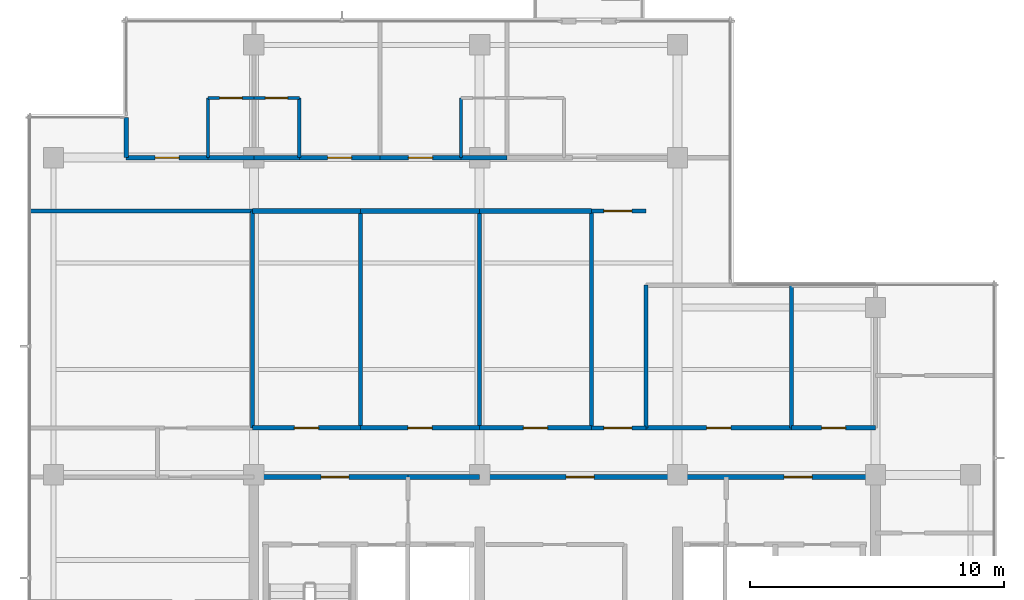
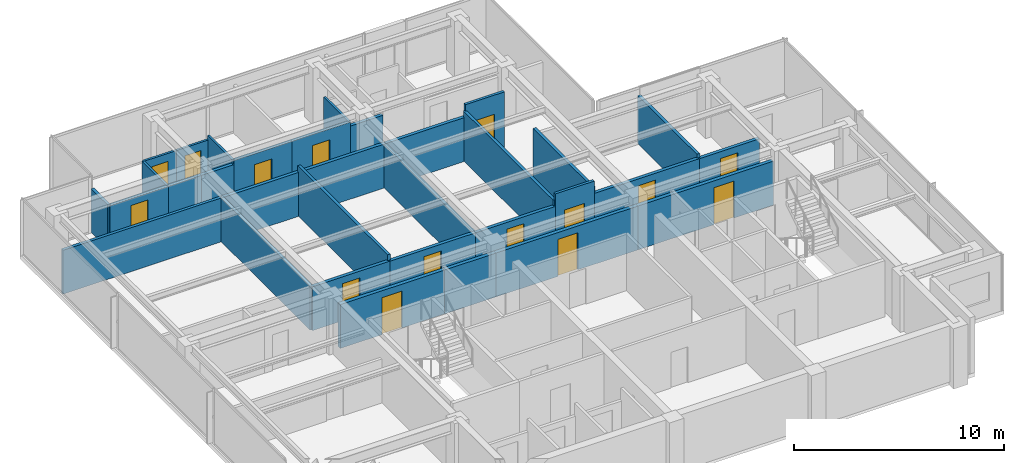
# One storey, part 7 of 11: 33 walls, 15 doors, 15 openings.
"""IFC4 building model written with IfcOpenShell, lengths in metres."""

from ifc_helpers import new_model, si_unit, direction, frame, frame_2d, origin, place, context, subcontext, project, spatial, rectangle, extrude, material, layer, layer_set, type_object, element, fill, save


model = new_model("IFC4")

# Units and contexts
model_context = context("Model", 3, precision=1e-05, world=origin(), true_north=direction((0.0, 1.0)))
body_context = subcontext(model_context, "Body", "Model", "MODEL_VIEW")
ifc_project = project(units=[si_unit("LENGTHUNIT", "METRE"), si_unit("AREAUNIT", "SQUARE_METRE"), si_unit("VOLUMEUNIT", "CUBIC_METRE"), si_unit("PLANEANGLEUNIT", "RADIAN"), si_unit("MASSUNIT", "GRAM", prefix="KILO")], contexts=[model_context])

# Site, building, storey
site_placement = place(None, origin())
site = spatial("IfcSite", under=ifc_project, at=site_placement, CompositionType="ELEMENT")
building_placement = place(site_placement, origin())
building = spatial("IfcBuilding", under=site, at=building_placement, Name="Qalmaran Belvedere Hotel", CompositionType="ELEMENT")
storey_placement = place(building_placement, frame((0.0, 0.0, 259.89990234375)))
storey = spatial("IfcBuildingStorey", under=building, at=storey_placement, Name="L67", CompositionType="ELEMENT", Elevation=259.89990234375)

# Wall, opening, door
ifc_material_1 = material(Name="Moisture-Resistant Gypsum")
ifc_layer_1 = layer(ifc_material_1, 0.1201171875, Name="Moisture-Resistant Gypsum")
ifc_layer_set_1 = layer_set([ifc_layer_1], Name="Moisture-Resistant Gypsum")
wall_type_1 = type_object("IfcWallType", Name="WL-INT-120-BATH", PredefinedType="PARTITIONING", material=ifc_layer_set_1)
wall_1_placement = place(storey_placement, frame((18.489990234375, 35.35009765625, 0.0), z_axis=(0.0, 0.0, 1.0), x_axis=(1.0, 0.0, 0.0)))
wall_1 = element("IfcWall", 1, at=wall_1_placement, inside=storey, type_object=wall_type_1, Name="L67 Partition WL-L67-NBN00", PredefinedType="PARTITIONING", context=body_context, shape_type="SweptSolid", body=[
    extrude(rectangle(XDim=1.81005859375, YDim=0.1201171875, at=frame_2d((0.905029296875, 0.0))), origin(), (0.0, 0.0, 1.0), 2.550048828125),
])
opening_1_placement = place(wall_1_placement, frame((1.344970703125, 0.0, 0.0), z_axis=(0.0, 0.0, 1.0), x_axis=(-1.0, 0.0, 0.0)))
opening_1 = element("IfcOpeningElement", 2, at=opening_1_placement, cuts=wall_1, Name="Opening D-BATH", PredefinedType="OPENING", context=body_context, shape_type="SweptSolid", body=[
    extrude(rectangle(XDim=0.8798828125, YDim=2.080078125, at=frame_2d((0.43994140625, 1.0400390625))), frame((0.0, 0.070068359375, 0.0), z_axis=(0.0, -1.0, 0.0), x_axis=(1.0, 0.0, 0.0)), (0.0, 0.0, 1.0), 0.14013671875),
])
ifc_material_2 = material(Name="Engineered Oak Veneer")
door_type_1 = type_object("IfcDoorType", Name="DR-INT-BATH-880X2080", OperationType="NOTDEFINED", PredefinedType="DOOR", material=ifc_material_2)
door_1_placement = place(opening_1_placement, origin())
door_1 = element("IfcDoor", 3, at=door_1_placement, inside=storey, type_object=door_type_1, Name="L67 Ensuite Bathroom Door N01", OperationType="SINGLE_SWING_LEFT", OverallHeight=2.080078125, OverallWidth=0.8798828125, PredefinedType="DOOR", context=body_context, shape_type="SweptSolid", body=[
    extrude(rectangle(XDim=0.8798828125, YDim=2.080078125, at=frame_2d((0.43994140625, 1.0400390625))), frame((0.0, 0.02490234375, 0.0), z_axis=(0.0, -1.0, 0.0), x_axis=(1.0, 0.0, 0.0)), (0.0, 0.0, 1.0), 0.050048828125),
])
fill(opening_1, door_1)

# Wall
wall_2_placement = place(storey_placement, frame((18.489990234375, 33.0, 0.0), z_axis=(0.0, 0.0, 1.0), x_axis=(0.0, 1.0, 0.0)))
element("IfcWall", 4, at=wall_2_placement, inside=storey, type_object=wall_type_1, Name="L67 Partition WL-L67-NBS00", PredefinedType="PARTITIONING", context=body_context, shape_type="SweptSolid", body=[
    extrude(rectangle(XDim=2.35009765625, YDim=0.1201171875, at=frame_2d((1.175048828125, 0.0))), origin(), (0.0, 0.0, 1.0), 2.550048828125),
])

# Wall, opening, door
wall_3_placement = place(storey_placement, frame((20.300048828125, 35.35009765625, 0.0), z_axis=(0.0, 0.0, 1.0), x_axis=(1.0, 0.0, 0.0)))
wall_3 = element("IfcWall", 5, at=wall_3_placement, inside=storey, type_object=wall_type_1, Name="L67 Partition WL-L67-NBN01", PredefinedType="PARTITIONING", context=body_context, shape_type="SweptSolid", body=[
    extrude(rectangle(XDim=1.7900390625, YDim=0.1201171875, at=frame_2d((0.89501953125, 0.0))), origin(), (0.0, 0.0, 1.0), 2.550048828125),
])
opening_2_placement = place(wall_3_placement, frame((1.3349609375, 0.0, 0.0), z_axis=(0.0, 0.0, 1.0), x_axis=(-1.0, 0.0, 0.0)))
opening_2 = element("IfcOpeningElement", 6, at=opening_2_placement, cuts=wall_3, Name="Opening D-BATH", PredefinedType="OPENING", context=body_context, shape_type="SweptSolid", body=[
    extrude(rectangle(XDim=0.8798828125, YDim=2.080078125, at=frame_2d((0.43994140625, 1.0400390625))), frame((0.0, 0.070068359375, 0.0), z_axis=(0.0, -1.0, 0.0), x_axis=(1.0, 0.0, 0.0)), (0.0, 0.0, 1.0), 0.14013671875),
])
door_2_placement = place(opening_2_placement, origin())
door_2 = element("IfcDoor", 7, at=door_2_placement, inside=storey, type_object=door_type_1, Name="L67 Ensuite Bathroom Door N02", OperationType="SINGLE_SWING_LEFT", OverallHeight=2.080078125, OverallWidth=0.8798828125, PredefinedType="DOOR", context=body_context, shape_type="SweptSolid", body=[
    extrude(rectangle(XDim=0.8798828125, YDim=2.080078125, at=frame_2d((0.43994140625, 1.0400390625))), frame((0.0, 0.02490234375, 0.0), z_axis=(0.0, -1.0, 0.0), x_axis=(1.0, 0.0, 0.0)), (0.0, 0.0, 1.0), 0.050048828125),
])
fill(opening_2, door_2)

# Walls
for number, where, z_axis, x_axis, name in (
    (8, (22.090087890625, 33.0, 0.0), (0.0, 0.0, 1.0), (0.0, 1.0, 0.0), "L67 Partition WL-L67-NBS01"),
    (9, (28.47021484375, 33.0, 0.0), (0.0, 0.0, 1.0), (0.0, 1.0, 0.0), "L67 Partition WL-L67-NBS02"),
):
    element("IfcWall", number, at=place(storey_placement, frame(where, z_axis=z_axis, x_axis=x_axis)), inside=storey, type_object=wall_type_1, Name=name, PredefinedType="PARTITIONING", context=body_context, shape_type="SweptSolid", body=[
        extrude(rectangle(XDim=2.35009765625, YDim=0.1201171875, at=frame_2d((1.175048828125, 0.0))), origin(), (0.0, 0.0, 1.0), 2.781982421875),
    ])

# Wall, opening, door
ifc_material_3 = material(Name="Gypsum Stud Partition")
ifc_layer_2 = layer(ifc_material_3, 0.14990234375, Name="Gypsum Stud Partition")
ifc_layer_set_2 = layer_set([ifc_layer_2], Name="Gypsum Stud Partition")
wall_type_2 = type_object("IfcWallType", Name="WL-INT-150-EI60", PredefinedType="PARTITIONING", material=ifc_layer_set_2)
wall_4_placement = place(storey_placement, frame((33.60009765625, 22.35009765625, 0.0), z_axis=(0.0, 0.0, 1.0), x_axis=(1.0, 0.0, 0.0)))
wall_4 = element("IfcWall", 10, at=wall_4_placement, inside=storey, type_object=wall_type_2, Name="L67 Partition WL-L67-XCLS", PredefinedType="PARTITIONING", context=body_context, shape_type="SweptSolid", body=[
    extrude(rectangle(XDim=2.14990234375, YDim=0.14990234375, at=frame_2d((1.074951171875, 0.0))), origin(), (0.0, 0.0, 1.0), 3.260009765625),
])
opening_3_placement = place(wall_4_placement, frame((0.5, 0.0, 0.0)))
opening_3 = element("IfcOpeningElement", 11, at=opening_3_placement, cuts=wall_4, Name="Opening FD90", PredefinedType="OPENING", context=body_context, shape_type="SweptSolid", body=[
    extrude(rectangle(XDim=1.10009765625, YDim=2.14990234375, at=frame_2d((0.550048828125, 1.074951171875))), frame((0.0, 0.0849609375, 0.0), z_axis=(0.0, -1.0, 0.0), x_axis=(1.0, 0.0, 0.0)), (0.0, 0.0, 1.0), 0.169921875),
])
ifc_material_4 = material(Name="Steel S355JR", Category="steel")
door_type_2 = type_object("IfcDoorType", Name="DR-FD90-1100X2150", OperationType="NOTDEFINED", PredefinedType="DOOR", material=ifc_material_4)
door_3_placement = place(opening_3_placement, origin())
door_3 = element("IfcDoor", 12, at=door_3_placement, inside=storey, type_object=door_type_2, Name="L67 Sky Link South Door", OperationType="SINGLE_SWING_LEFT", OverallHeight=2.14990234375, OverallWidth=1.10009765625, PredefinedType="DOOR", context=body_context, shape_type="SweptSolid", body=[
    extrude(rectangle(XDim=1.10009765625, YDim=2.14990234375, at=frame_2d((0.550048828125, 1.074951171875))), frame((0.0, 0.02490234375, 0.0), z_axis=(0.0, -1.0, 0.0), x_axis=(1.0, 0.0, 0.0)), (0.0, 0.0, 1.0), 0.050048828125),
])
fill(opening_3, door_3)

wall_5_placement = place(storey_placement, frame((33.60009765625, 30.89990234375, 0.0), z_axis=(0.0, 0.0, 1.0), x_axis=(1.0, 0.0, 0.0)))
wall_5 = element("IfcWall", 13, at=wall_5_placement, inside=storey, type_object=wall_type_2, Name="L67 Partition WL-L67-XCLN", PredefinedType="PARTITIONING", context=body_context, shape_type="SweptSolid", body=[
    extrude(rectangle(XDim=2.14990234375, YDim=0.14990234375, at=frame_2d((1.074951171875, 0.0))), origin(), (0.0, 0.0, 1.0), 3.260009765625),
])
opening_4_placement = place(wall_5_placement, frame((0.5, 0.0, 0.0)))
opening_4 = element("IfcOpeningElement", 14, at=opening_4_placement, cuts=wall_5, Name="Opening FD90", PredefinedType="OPENING", context=body_context, shape_type="SweptSolid", body=[
    extrude(rectangle(XDim=1.10009765625, YDim=2.14990234375, at=frame_2d((0.550048828125, 1.074951171875))), frame((0.0, 0.0849609375, 0.0), z_axis=(0.0, -1.0, 0.0), x_axis=(1.0, 0.0, 0.0)), (0.0, 0.0, 1.0), 0.169921875),
])
door_4_placement = place(opening_4_placement, origin())
door_4 = element("IfcDoor", 15, at=door_4_placement, inside=storey, type_object=door_type_2, Name="L67 Sky Link North Door", OperationType="SINGLE_SWING_RIGHT", OverallHeight=2.14990234375, OverallWidth=1.10009765625, PredefinedType="DOOR", context=body_context, shape_type="SweptSolid", body=[
    extrude(rectangle(XDim=1.10009765625, YDim=2.14990234375, at=frame_2d((0.550048828125, 1.074951171875))), frame((0.0, 0.02490234375, 0.0), z_axis=(0.0, -1.0, 0.0), x_axis=(1.0, 0.0, 0.0)), (0.0, 0.0, 1.0), 0.050048828125),
])
fill(opening_4, door_4)

# Walls
ifc_layer_3 = layer(ifc_material_3, 0.159912109375, Name="Gypsum Stud Partition")
ifc_layer_set_3 = layer_set([ifc_layer_3], Name="Gypsum Stud Partition")
wall_type_3 = type_object("IfcWallType", Name="WL-INT-160-EI60", PredefinedType="PARTITIONING", material=ifc_layer_set_3)
wall_6_placement = place(storey_placement, frame((11.469970703125, 30.89990234375, 0.0), z_axis=(0.0, 0.0, 1.0), x_axis=(1.0, 0.0, 0.0)))
element("IfcWall", 16, at=wall_6_placement, inside=storey, type_object=wall_type_3, Name="L67 Partition WL-L67-C4WN1", PredefinedType="PARTITIONING", context=body_context, shape_type="SweptSolid", body=[
    extrude(rectangle(XDim=8.780029296875, YDim=0.159912109375, at=frame_2d((4.39013671875, 0.0))), origin(), (0.0, 0.0, 1.0), 2.550048828125),
])
wall_7_placement = place(storey_placement, frame((20.25, 22.35009765625, 0.0), z_axis=(0.0, 0.0, 1.0), x_axis=(0.0, 1.0, 0.0)))
element("IfcWall", 17, at=wall_7_placement, inside=storey, type_object=wall_type_3, Name="L67 Partition WL-L67-C4MWVL", PredefinedType="PARTITIONING", context=body_context, shape_type="SweptSolid", body=[
    extrude(rectangle(XDim=8.5498046875, YDim=0.159912109375, at=frame_2d((4.27490234375, 0.0))), origin(), (0.0, 0.0, 1.0), 2.550048828125),
])
wall_8_placement = place(storey_placement, frame((24.5, 22.35009765625, 0.0), z_axis=(0.0, 0.0, 1.0), x_axis=(0.0, 1.0, 0.0)))
element("IfcWall", 18, at=wall_8_placement, inside=storey, type_object=wall_type_3, Name="L67 Partition WL-L67-C4MWVR1", PredefinedType="PARTITIONING", context=body_context, shape_type="SweptSolid", body=[
    extrude(rectangle(XDim=8.5498046875, YDim=0.159912109375, at=frame_2d((4.27490234375, 0.0))), origin(), (0.0, 0.0, 1.0), 2.88720703125),
])
wall_9_placement = place(storey_placement, frame((29.199951171875, 22.35009765625, 0.0), z_axis=(0.0, 0.0, 1.0), x_axis=(0.0, 1.0, 0.0)))
element("IfcWall", 19, at=wall_9_placement, inside=storey, type_object=wall_type_3, Name="L67 Partition WL-L67-C4MWVR2", PredefinedType="PARTITIONING", context=body_context, shape_type="SweptSolid", body=[
    extrude(rectangle(XDim=8.5498046875, YDim=0.159912109375, at=frame_2d((4.27490234375, 0.0))), origin(), (0.0, 0.0, 1.0), 2.550048828125),
])
wall_10_placement = place(storey_placement, frame((33.60009765625, 22.35009765625, 0.0), z_axis=(0.0, 0.0, 1.0), x_axis=(0.0, 1.0, 0.0)))
element("IfcWall", 20, at=wall_10_placement, inside=storey, type_object=wall_type_3, Name="L67 Partition WL-L67-C4MWVR3", PredefinedType="PARTITIONING", context=body_context, shape_type="SweptSolid", body=[
    extrude(rectangle(XDim=8.5498046875, YDim=0.159912109375, at=frame_2d((4.27490234375, 0.0))), origin(), (0.0, 0.0, 1.0), 2.88720703125),
])
wall_11_placement = place(storey_placement, frame((35.75, 22.35009765625, 0.0), z_axis=(0.0, 0.0, 1.0), x_axis=(0.0, 1.0, 0.0)))
element("IfcWall", 21, at=wall_11_placement, inside=storey, type_object=wall_type_3, Name="L67 Partition WL-L67-C4MEVL", PredefinedType="PARTITIONING", context=body_context, shape_type="SweptSolid", body=[
    extrude(rectangle(XDim=5.6298828125, YDim=0.159912109375, at=frame_2d((2.81494140625, 0.0))), origin(), (0.0, 0.0, 1.0), 2.88720703125),
])
wall_12_placement = place(storey_placement, frame((41.5, 22.35009765625, 0.0), z_axis=(0.0, 0.0, 1.0), x_axis=(0.0, 1.0, 0.0)))
element("IfcWall", 22, at=wall_12_placement, inside=storey, type_object=wall_type_3, Name="L67 Partition WL-L67-C4MEVR1", PredefinedType="PARTITIONING", context=body_context, shape_type="SweptSolid", body=[
    extrude(rectangle(XDim=5.6298828125, YDim=0.159912109375, at=frame_2d((2.81494140625, 0.0))), origin(), (0.0, 0.0, 1.0), 2.781982421875),
])
wall_13_placement = place(storey_placement, frame((15.27001953125, 33.0, 0.0), z_axis=(0.0, 0.0, 1.0), x_axis=(0.0, 1.0, 0.0)))
element("IfcWall", 23, at=wall_13_placement, inside=storey, type_object=wall_type_3, Name="L67 Partition WL-L67-NUL", PredefinedType="PARTITIONING", context=body_context, shape_type="SweptSolid", body=[
    extrude(rectangle(XDim=1.580078125, YDim=0.159912109375, at=frame_2d((0.7900390625, 0.0))), origin(), (0.0, 0.0, 1.0), 2.550048828125),
])

# Wall, opening, door
ifc_layer_4 = layer(ifc_material_3, 0.179931640625, Name="Gypsum Stud Partition")
ifc_layer_set_4 = layer_set([ifc_layer_4], Name="Gypsum Stud Partition")
wall_type_4 = type_object("IfcWallType", Name="WL-INT-180-EI60", PredefinedType="PARTITIONING", material=ifc_layer_set_4)
wall_14_placement = place(storey_placement, frame((20.25, 22.35009765625, 0.0), z_axis=(0.0, 0.0, 1.0), x_axis=(1.0, 0.0, 0.0)))
wall_14 = element("IfcWall", 24, at=wall_14_placement, inside=storey, type_object=wall_type_4, Name="L67 Partition WL-L67-C4MWD1", PredefinedType="PARTITIONING", context=body_context, shape_type="SweptSolid", body=[
    extrude(rectangle(XDim=4.25, YDim=0.179931640625, at=frame_2d((2.125, 0.0))), origin(), (0.0, 0.0, 1.0), 2.550048828125),
])
opening_5_placement = place(wall_14_placement, frame((1.64990234375, 0.0, 0.0)))
opening_5 = element("IfcOpeningElement", 25, at=opening_5_placement, cuts=wall_14, Name="Opening FD60", PredefinedType="OPENING", context=body_context, shape_type="SweptSolid", body=[
    extrude(rectangle(XDim=0.949951171875, YDim=2.14990234375, at=frame_2d((0.47509765625, 1.074951171875))), frame((0.0, 0.10009765625, 0.0), z_axis=(0.0, -1.0, 0.0), x_axis=(1.0, 0.0, 0.0)), (0.0, 0.0, 1.0), 0.199951171875),
])
door_type_3 = type_object("IfcDoorType", Name="DR-FD60-950X2150", OperationType="NOTDEFINED", PredefinedType="DOOR", material=ifc_material_2)
door_5_placement = place(opening_5_placement, origin())
door_5 = element("IfcDoor", 26, at=door_5_placement, inside=storey, type_object=door_type_3, Name="L67 Housekeeping and Linen Room Door", OperationType="SINGLE_SWING_RIGHT", OverallHeight=2.14990234375, OverallWidth=0.949951171875, PredefinedType="DOOR", context=body_context, shape_type="SweptSolid", body=[
    extrude(rectangle(XDim=0.949951171875, YDim=2.14990234375, at=frame_2d((0.47509765625, 1.074951171875))), frame((0.0, 0.02490234375, 0.0), z_axis=(0.0, -1.0, 0.0), x_axis=(1.0, 0.0, 0.0)), (0.0, 0.0, 1.0), 0.050048828125),
])
fill(opening_5, door_5)

# Wall
wall_15_placement = place(storey_placement, frame((20.25, 30.89990234375, 0.0), z_axis=(0.0, 0.0, 1.0), x_axis=(1.0, 0.0, 0.0)))
element("IfcWall", 27, at=wall_15_placement, inside=storey, type_object=wall_type_4, Name="L67 Partition WL-L67-C4MWO1", PredefinedType="PARTITIONING", context=body_context, shape_type="SweptSolid", body=[
    extrude(rectangle(XDim=4.25, YDim=0.179931640625, at=frame_2d((2.125, 0.0))), origin(), (0.0, 0.0, 1.0), 2.550048828125),
])

# Wall, opening, door
wall_16_placement = place(storey_placement, frame((24.5, 22.35009765625, 0.0), z_axis=(0.0, 0.0, 1.0), x_axis=(1.0, 0.0, 0.0)))
wall_16 = element("IfcWall", 28, at=wall_16_placement, inside=storey, type_object=wall_type_4, Name="L67 Partition WL-L67-C4MWD2", PredefinedType="PARTITIONING", context=body_context, shape_type="SweptSolid", body=[
    extrude(rectangle(XDim=4.699951171875, YDim=0.179931640625, at=frame_2d((2.35009765625, 0.0))), origin(), (0.0, 0.0, 1.0), 2.550048828125),
])
opening_6_placement = place(wall_16_placement, frame((1.875, 0.0, 0.0)))
opening_6 = element("IfcOpeningElement", 29, at=opening_6_placement, cuts=wall_16, Name="Opening FD60", PredefinedType="OPENING", context=body_context, shape_type="SweptSolid", body=[
    extrude(rectangle(XDim=0.949951171875, YDim=2.14990234375, at=frame_2d((0.47509765625, 1.074951171875))), frame((0.0, 0.10009765625, 0.0), z_axis=(0.0, -1.0, 0.0), x_axis=(1.0, 0.0, 0.0)), (0.0, 0.0, 1.0), 0.199951171875),
])
door_6_placement = place(opening_6_placement, origin())
door_6 = element("IfcDoor", 30, at=door_6_placement, inside=storey, type_object=door_type_3, Name="L67 Butler Pantry Door", OperationType="SINGLE_SWING_LEFT", OverallHeight=2.14990234375, OverallWidth=0.949951171875, PredefinedType="DOOR", context=body_context, shape_type="SweptSolid", body=[
    extrude(rectangle(XDim=0.949951171875, YDim=2.14990234375, at=frame_2d((0.47509765625, 1.074951171875))), frame((0.0, 0.02490234375, 0.0), z_axis=(0.0, -1.0, 0.0), x_axis=(1.0, 0.0, 0.0)), (0.0, 0.0, 1.0), 0.050048828125),
])
fill(opening_6, door_6)

# Wall
wall_17_placement = place(storey_placement, frame((24.5, 30.89990234375, 0.0), z_axis=(0.0, 0.0, 1.0), x_axis=(1.0, 0.0, 0.0)))
element("IfcWall", 31, at=wall_17_placement, inside=storey, type_object=wall_type_4, Name="L67 Partition WL-L67-C4MWO2", PredefinedType="PARTITIONING", context=body_context, shape_type="SweptSolid", body=[
    extrude(rectangle(XDim=4.699951171875, YDim=0.179931640625, at=frame_2d((2.35009765625, 0.0))), origin(), (0.0, 0.0, 1.0), 2.550048828125),
])

# Wall, opening, door
wall_18_placement = place(storey_placement, frame((29.199951171875, 22.35009765625, 0.0), z_axis=(0.0, 0.0, 1.0), x_axis=(1.0, 0.0, 0.0)))
wall_18 = element("IfcWall", 32, at=wall_18_placement, inside=storey, type_object=wall_type_4, Name="L67 Partition WL-L67-C4MWD3", PredefinedType="PARTITIONING", context=body_context, shape_type="SweptSolid", body=[
    extrude(rectangle(XDim=4.400146484375, YDim=0.179931640625, at=frame_2d((2.2001953125, 0.0))), origin(), (0.0, 0.0, 1.0), 2.550048828125),
])
opening_7_placement = place(wall_18_placement, frame((1.72509765625, 0.0, 0.0)))
opening_7 = element("IfcOpeningElement", 33, at=opening_7_placement, cuts=wall_18, Name="Opening FD60", PredefinedType="OPENING", context=body_context, shape_type="SweptSolid", body=[
    extrude(rectangle(XDim=0.949951171875, YDim=2.14990234375, at=frame_2d((0.47509765625, 1.074951171875))), frame((0.0, 0.10009765625, 0.0), z_axis=(0.0, -1.0, 0.0), x_axis=(1.0, 0.0, 0.0)), (0.0, 0.0, 1.0), 0.199951171875),
])
door_7_placement = place(opening_7_placement, origin())
door_7 = element("IfcDoor", 34, at=door_7_placement, inside=storey, type_object=door_type_3, Name="L67 Coffee Pantry Door", OperationType="SINGLE_SWING_RIGHT", OverallHeight=2.14990234375, OverallWidth=0.949951171875, PredefinedType="DOOR", context=body_context, shape_type="SweptSolid", body=[
    extrude(rectangle(XDim=0.949951171875, YDim=2.14990234375, at=frame_2d((0.47509765625, 1.074951171875))), frame((0.0, 0.02490234375, 0.0), z_axis=(0.0, -1.0, 0.0), x_axis=(1.0, 0.0, 0.0)), (0.0, 0.0, 1.0), 0.050048828125),
])
fill(opening_7, door_7)

# Wall
wall_19_placement = place(storey_placement, frame((29.199951171875, 30.89990234375, 0.0), z_axis=(0.0, 0.0, 1.0), x_axis=(1.0, 0.0, 0.0)))
element("IfcWall", 35, at=wall_19_placement, inside=storey, type_object=wall_type_4, Name="L67 Partition WL-L67-C4MWO3", PredefinedType="PARTITIONING", context=body_context, shape_type="SweptSolid", body=[
    extrude(rectangle(XDim=4.400146484375, YDim=0.179931640625, at=frame_2d((2.2001953125, 0.0))), origin(), (0.0, 0.0, 1.0), 2.550048828125),
])

# Wall, opening, door
wall_20_placement = place(storey_placement, frame((35.75, 22.35009765625, 0.0), z_axis=(0.0, 0.0, 1.0), x_axis=(1.0, 0.0, 0.0)))
wall_20 = element("IfcWall", 36, at=wall_20_placement, inside=storey, type_object=wall_type_4, Name="L67 Partition WL-L67-C4MED1", PredefinedType="PARTITIONING", context=body_context, shape_type="SweptSolid", body=[
    extrude(rectangle(XDim=5.75, YDim=0.179931640625, at=frame_2d((2.875, 0.0))), origin(), (0.0, 0.0, 1.0), 2.550048828125),
])
opening_8_placement = place(wall_20_placement, frame((2.39990234375, 0.0, 0.0)))
opening_8 = element("IfcOpeningElement", 37, at=opening_8_placement, cuts=wall_20, Name="Opening FD60", PredefinedType="OPENING", context=body_context, shape_type="SweptSolid", body=[
    extrude(rectangle(XDim=0.949951171875, YDim=2.14990234375, at=frame_2d((0.47509765625, 1.074951171875))), frame((0.0, 0.10009765625, 0.0), z_axis=(0.0, -1.0, 0.0), x_axis=(1.0, 0.0, 0.0)), (0.0, 0.0, 1.0), 0.199951171875),
])
door_8_placement = place(opening_8_placement, origin())
door_8 = element("IfcDoor", 38, at=door_8_placement, inside=storey, type_object=door_type_3, Name="L67 Tea Pantry Door", OperationType="SINGLE_SWING_LEFT", OverallHeight=2.14990234375, OverallWidth=0.949951171875, PredefinedType="DOOR", context=body_context, shape_type="SweptSolid", body=[
    extrude(rectangle(XDim=0.949951171875, YDim=2.14990234375, at=frame_2d((0.47509765625, 1.074951171875))), frame((0.0, 0.02490234375, 0.0), z_axis=(0.0, -1.0, 0.0), x_axis=(1.0, 0.0, 0.0)), (0.0, 0.0, 1.0), 0.050048828125),
])
fill(opening_8, door_8)

wall_21_placement = place(storey_placement, frame((41.5, 22.35009765625, 0.0), z_axis=(0.0, 0.0, 1.0), x_axis=(1.0, 0.0, 0.0)))
wall_21 = element("IfcWall", 39, at=wall_21_placement, inside=storey, type_object=wall_type_4, Name="L67 Partition WL-L67-C4MED2", PredefinedType="PARTITIONING", context=body_context, shape_type="SweptSolid", body=[
    extrude(rectangle(XDim=3.300048828125, YDim=0.179931640625, at=frame_2d((1.64990234375, 0.0))), origin(), (0.0, 0.0, 1.0), 2.550048828125),
])
opening_9_placement = place(wall_21_placement, frame((1.175048828125, 0.0, 0.0)))
opening_9 = element("IfcOpeningElement", 40, at=opening_9_placement, cuts=wall_21, Name="Opening FD60", PredefinedType="OPENING", context=body_context, shape_type="SweptSolid", body=[
    extrude(rectangle(XDim=0.949951171875, YDim=2.14990234375, at=frame_2d((0.47509765625, 1.074951171875))), frame((0.0, 0.10009765625, 0.0), z_axis=(0.0, -1.0, 0.0), x_axis=(1.0, 0.0, 0.0)), (0.0, 0.0, 1.0), 0.199951171875),
])
door_9_placement = place(opening_9_placement, origin())
door_9 = element("IfcDoor", 41, at=door_9_placement, inside=storey, type_object=door_type_3, Name="L67 Sommelier Pantry Door", OperationType="SINGLE_SWING_RIGHT", OverallHeight=2.14990234375, OverallWidth=0.949951171875, PredefinedType="DOOR", context=body_context, shape_type="SweptSolid", body=[
    extrude(rectangle(XDim=0.949951171875, YDim=2.14990234375, at=frame_2d((0.47509765625, 1.074951171875))), frame((0.0, 0.02490234375, 0.0), z_axis=(0.0, -1.0, 0.0), x_axis=(1.0, 0.0, 0.0)), (0.0, 0.0, 1.0), 0.050048828125),
])
fill(opening_9, door_9)

# Wall
wall_22_placement = place(storey_placement, frame((18.489990234375, 33.0, 0.0), z_axis=(0.0, 0.0, 1.0), x_axis=(1.0, 0.0, 0.0)))
element("IfcWall", 42, at=wall_22_placement, inside=storey, type_object=wall_type_4, Name="L67 Partition WL-L67-NBC00", PredefinedType="PARTITIONING", context=body_context, shape_type="SweptSolid", body=[
    extrude(rectangle(XDim=1.81005859375, YDim=0.179931640625, at=frame_2d((0.905029296875, 0.0))), origin(), (0.0, 0.0, 1.0), 2.550048828125),
])

# Wall, opening, door
wall_23_placement = place(storey_placement, frame((15.27001953125, 33.0, 0.0), z_axis=(0.0, 0.0, 1.0), x_axis=(1.0, 0.0, 0.0)))
wall_23 = element("IfcWall", 43, at=wall_23_placement, inside=storey, type_object=wall_type_4, Name="L67 Partition WL-L67-NEC00", PredefinedType="PARTITIONING", context=body_context, shape_type="SweptSolid", body=[
    extrude(rectangle(XDim=3.219970703125, YDim=0.179931640625, at=frame_2d((1.60986328125, 0.0))), origin(), (0.0, 0.0, 1.0), 2.550048828125),
])
opening_10_placement = place(wall_23_placement, frame((1.135009765625, 0.0, 0.0)))
opening_10 = element("IfcOpeningElement", 44, at=opening_10_placement, cuts=wall_23, Name="Opening FD60", PredefinedType="OPENING", context=body_context, shape_type="SweptSolid", body=[
    extrude(rectangle(XDim=0.949951171875, YDim=2.14990234375, at=frame_2d((0.47509765625, 1.074951171875))), frame((0.0, 0.10009765625, 0.0), z_axis=(0.0, -1.0, 0.0), x_axis=(1.0, 0.0, 0.0)), (0.0, 0.0, 1.0), 0.199951171875),
])
door_10_placement = place(opening_10_placement, origin())
door_10 = element("IfcDoor", 45, at=door_10_placement, inside=storey, type_object=door_type_3, Name="L67 Guest Entrance Door N01", OperationType="SINGLE_SWING_RIGHT", OverallHeight=2.14990234375, OverallWidth=0.949951171875, PredefinedType="DOOR", context=body_context, shape_type="SweptSolid", body=[
    extrude(rectangle(XDim=0.949951171875, YDim=2.14990234375, at=frame_2d((0.47509765625, 1.074951171875))), frame((0.0, 0.02490234375, 0.0), z_axis=(0.0, -1.0, 0.0), x_axis=(1.0, 0.0, 0.0)), (0.0, 0.0, 1.0), 0.050048828125),
])
fill(opening_10, door_10)

# Wall
wall_24_placement = place(storey_placement, frame((20.300048828125, 33.0, 0.0), z_axis=(0.0, 0.0, 1.0), x_axis=(1.0, 0.0, 0.0)))
element("IfcWall", 46, at=wall_24_placement, inside=storey, type_object=wall_type_4, Name="L67 Partition WL-L67-NBC01", PredefinedType="PARTITIONING", context=body_context, shape_type="SweptSolid", body=[
    extrude(rectangle(XDim=1.7900390625, YDim=0.179931640625, at=frame_2d((0.89501953125, 0.0))), origin(), (0.0, 0.0, 1.0), 2.550048828125),
])

# Wall, opening, door
wall_25_placement = place(storey_placement, frame((22.090087890625, 33.0, 0.0), z_axis=(0.0, 0.0, 1.0), x_axis=(1.0, 0.0, 0.0)))
wall_25 = element("IfcWall", 47, at=wall_25_placement, inside=storey, type_object=wall_type_4, Name="L67 Partition WL-L67-NEC01", PredefinedType="PARTITIONING", context=body_context, shape_type="SweptSolid", body=[
    extrude(rectangle(XDim=3.18017578125, YDim=0.179931640625, at=frame_2d((1.590087890625, 0.0))), origin(), (0.0, 0.0, 1.0), 2.781982421875),
])
opening_11_placement = place(wall_25_placement, frame((1.114990234375, 0.0, 0.0)))
opening_11 = element("IfcOpeningElement", 48, at=opening_11_placement, cuts=wall_25, Name="Opening FD60", PredefinedType="OPENING", context=body_context, shape_type="SweptSolid", body=[
    extrude(rectangle(XDim=0.949951171875, YDim=2.14990234375, at=frame_2d((0.47509765625, 1.074951171875))), frame((0.0, 0.10009765625, 0.0), z_axis=(0.0, -1.0, 0.0), x_axis=(1.0, 0.0, 0.0)), (0.0, 0.0, 1.0), 0.199951171875),
])
door_11_placement = place(opening_11_placement, origin())
door_11 = element("IfcDoor", 49, at=door_11_placement, inside=storey, type_object=door_type_3, Name="L67 Guest Entrance Door N02", OperationType="SINGLE_SWING_RIGHT", OverallHeight=2.14990234375, OverallWidth=0.949951171875, PredefinedType="DOOR", context=body_context, shape_type="SweptSolid", body=[
    extrude(rectangle(XDim=0.949951171875, YDim=2.14990234375, at=frame_2d((0.47509765625, 1.074951171875))), frame((0.0, 0.02490234375, 0.0), z_axis=(0.0, -1.0, 0.0), x_axis=(1.0, 0.0, 0.0)), (0.0, 0.0, 1.0), 0.050048828125),
])
fill(opening_11, door_11)

# Wall
wall_26_placement = place(storey_placement, frame((28.47021484375, 33.0, 0.0), z_axis=(0.0, 0.0, 1.0), x_axis=(1.0, 0.0, 0.0)))
element("IfcWall", 50, at=wall_26_placement, inside=storey, type_object=wall_type_4, Name="L67 Partition WL-L67-NBC02", PredefinedType="PARTITIONING", context=body_context, shape_type="SweptSolid", body=[
    extrude(rectangle(XDim=1.800048828125, YDim=0.179931640625, at=frame_2d((0.89990234375, 0.0))), origin(), (0.0, 0.0, 1.0), 2.550048828125),
])

# Wall, opening, door
wall_27_placement = place(storey_placement, frame((25.270263671875, 33.0, 0.0), z_axis=(0.0, 0.0, 1.0), x_axis=(1.0, 0.0, 0.0)))
wall_27 = element("IfcWall", 51, at=wall_27_placement, inside=storey, type_object=wall_type_4, Name="L67 Partition WL-L67-NEC02", PredefinedType="PARTITIONING", context=body_context, shape_type="SweptSolid", body=[
    extrude(rectangle(XDim=3.199951171875, YDim=0.179931640625, at=frame_2d((1.60009765625, 0.0))), origin(), (0.0, 0.0, 1.0), 2.781982421875),
])
opening_12_placement = place(wall_27_placement, frame((1.125, 0.0, 0.0)))
opening_12 = element("IfcOpeningElement", 52, at=opening_12_placement, cuts=wall_27, Name="Opening FD60", PredefinedType="OPENING", context=body_context, shape_type="SweptSolid", body=[
    extrude(rectangle(XDim=0.949951171875, YDim=2.14990234375, at=frame_2d((0.47509765625, 1.074951171875))), frame((0.0, 0.10009765625, 0.0), z_axis=(0.0, -1.0, 0.0), x_axis=(1.0, 0.0, 0.0)), (0.0, 0.0, 1.0), 0.199951171875),
])
door_12_placement = place(opening_12_placement, origin())
door_12 = element("IfcDoor", 53, at=door_12_placement, inside=storey, type_object=door_type_3, Name="L67 Guest Entrance Door N03", OperationType="SINGLE_SWING_RIGHT", OverallHeight=2.14990234375, OverallWidth=0.949951171875, PredefinedType="DOOR", context=body_context, shape_type="SweptSolid", body=[
    extrude(rectangle(XDim=0.949951171875, YDim=2.14990234375, at=frame_2d((0.47509765625, 1.074951171875))), frame((0.0, 0.02490234375, 0.0), z_axis=(0.0, -1.0, 0.0), x_axis=(1.0, 0.0, 0.0)), (0.0, 0.0, 1.0), 0.050048828125),
])
fill(opening_12, door_12)

ifc_material_5 = material(Name="Concrete C30/37 Blockwork", Category="masonry")
ifc_layer_5 = layer(ifc_material_5, 0.199951171875, Name="Concrete C30/37 Blockwork")
ifc_layer_set_5 = layer_set([ifc_layer_5], Name="Concrete C30/37 Blockwork")
wall_type_5 = type_object("IfcWallType", Name="WL-INT-200-EI120", PredefinedType="PARTITIONING", material=ifc_layer_set_5)
wall_28_placement = place(storey_placement, frame((20.64990234375, 20.419921875, 0.0), z_axis=(0.0, 0.0, 1.0), x_axis=(1.0, 0.0, 0.0)))
wall_28 = element("IfcWall", 54, at=wall_28_placement, inside=storey, type_object=wall_type_5, Name="L67 Partition WL-CN1A-L67", PredefinedType="PARTITIONING", context=body_context, shape_type="SweptSolid", body=[
    extrude(rectangle(XDim=5.72998046875, YDim=0.199951171875, at=frame_2d((2.864990234375, 0.0))), origin(), (0.0, 0.0, 1.0), 2.550048828125),
])
opening_13_placement = place(wall_28_placement, frame((2.300048828125, 0.0, 0.0)))
opening_13 = element("IfcOpeningElement", 55, at=opening_13_placement, cuts=wall_28, Name="Opening FD90", PredefinedType="OPENING", context=body_context, shape_type="SweptSolid", body=[
    extrude(rectangle(XDim=1.10009765625, YDim=2.14990234375, at=frame_2d((0.550048828125, 1.074951171875))), frame((0.0, 0.10986328125, 0.0), z_axis=(0.0, -1.0, 0.0), x_axis=(1.0, 0.0, 0.0)), (0.0, 0.0, 1.0), 0.219970703125),
])
door_13_placement = place(opening_13_placement, origin())
door_13 = element("IfcDoor", 56, at=door_13_placement, inside=storey, type_object=door_type_2, Name="L67 FF1 Lobby Corridor Door", OperationType="SINGLE_SWING_LEFT", OverallHeight=2.14990234375, OverallWidth=1.10009765625, PredefinedType="DOOR", context=body_context, shape_type="SweptSolid", body=[
    extrude(rectangle(XDim=1.10009765625, YDim=2.14990234375, at=frame_2d((0.550048828125, 1.074951171875))), frame((0.0, 0.02490234375, 0.0), z_axis=(0.0, -1.0, 0.0), x_axis=(1.0, 0.0, 0.0)), (0.0, 0.0, 1.0), 0.050048828125),
])
fill(opening_13, door_13)

# Wall
wall_29_placement = place(storey_placement, frame((26.3798828125, 20.419921875, 0.0), z_axis=(0.0, 0.0, 1.0), x_axis=(1.0, 0.0, 0.0)))
element("IfcWall", 57, at=wall_29_placement, inside=storey, type_object=wall_type_5, Name="L67 Partition WL-CN1B-L67", PredefinedType="PARTITIONING", context=body_context, shape_type="SweptSolid", body=[
    extrude(rectangle(XDim=2.820068359375, YDim=0.199951171875, at=frame_2d((1.41015625, 0.0))), origin(), (0.0, 0.0, 1.0), 2.550048828125),
])

# Wall, opening, door
wall_30_placement = place(storey_placement, frame((29.199951171875, 20.419921875, 0.0), z_axis=(0.0, 0.0, 1.0), x_axis=(1.0, 0.0, 0.0)))
wall_30 = element("IfcWall", 58, at=wall_30_placement, inside=storey, type_object=wall_type_5, Name="L67 Partition WL-CN2-L67", PredefinedType="PARTITIONING", context=body_context, shape_type="SweptSolid", body=[
    extrude(rectangle(XDim=7.800048828125, YDim=0.199951171875, at=frame_2d((3.89990234375, 0.0))), origin(), (0.0, 0.0, 1.0), 2.550048828125),
])
opening_14_placement = place(wall_30_placement, frame((3.4091796875, 0.0, 0.0)))
opening_14 = element("IfcOpeningElement", 59, at=opening_14_placement, cuts=wall_30, Name="Opening FD90", PredefinedType="OPENING", context=body_context, shape_type="SweptSolid", body=[
    extrude(rectangle(XDim=1.10009765625, YDim=2.14990234375, at=frame_2d((0.550048828125, 1.074951171875))), frame((0.0, 0.10986328125, 0.0), z_axis=(0.0, -1.0, 0.0), x_axis=(1.0, 0.0, 0.0)), (0.0, 0.0, 1.0), 0.219970703125),
])
door_14_placement = place(opening_14_placement, origin())
door_14 = element("IfcDoor", 60, at=door_14_placement, inside=storey, type_object=door_type_2, Name="L67 Central Lift Lobby Door", OperationType="SINGLE_SWING_RIGHT", OverallHeight=2.14990234375, OverallWidth=1.10009765625, PredefinedType="DOOR", context=body_context, shape_type="SweptSolid", body=[
    extrude(rectangle(XDim=1.10009765625, YDim=2.14990234375, at=frame_2d((0.550048828125, 1.074951171875))), frame((0.0, 0.02490234375, 0.0), z_axis=(0.0, -1.0, 0.0), x_axis=(1.0, 0.0, 0.0)), (0.0, 0.0, 1.0), 0.050048828125),
])
fill(opening_14, door_14)

wall_31_placement = place(storey_placement, frame((37.0, 20.419921875, 0.0), z_axis=(0.0, 0.0, 1.0), x_axis=(1.0, 0.0, 0.0)))
wall_31 = element("IfcWall", 61, at=wall_31_placement, inside=storey, type_object=wall_type_5, Name="L67 Partition WL-CN3-L67", PredefinedType="PARTITIONING", context=body_context, shape_type="SweptSolid", body=[
    extrude(rectangle(XDim=7.449951171875, YDim=0.199951171875, at=frame_2d((3.72509765625, 0.0))), origin(), (0.0, 0.0, 1.0), 2.550048828125),
])
opening_15_placement = place(wall_31_placement, frame((4.199951171875, 0.0, 0.0)))
opening_15 = element("IfcOpeningElement", 62, at=opening_15_placement, cuts=wall_31, Name="Opening FD90", PredefinedType="OPENING", context=body_context, shape_type="SweptSolid", body=[
    extrude(rectangle(XDim=1.10009765625, YDim=2.14990234375, at=frame_2d((0.550048828125, 1.074951171875))), frame((0.0, 0.10986328125, 0.0), z_axis=(0.0, -1.0, 0.0), x_axis=(1.0, 0.0, 0.0)), (0.0, 0.0, 1.0), 0.219970703125),
])
door_15_placement = place(opening_15_placement, origin())
door_15 = element("IfcDoor", 63, at=door_15_placement, inside=storey, type_object=door_type_2, Name="L67 FF2 Lobby Corridor Door", OperationType="SINGLE_SWING_LEFT", OverallHeight=2.14990234375, OverallWidth=1.10009765625, PredefinedType="DOOR", context=body_context, shape_type="SweptSolid", body=[
    extrude(rectangle(XDim=1.10009765625, YDim=2.14990234375, at=frame_2d((0.550048828125, 1.074951171875))), frame((0.0, 0.02490234375, 0.0), z_axis=(0.0, -1.0, 0.0), x_axis=(1.0, 0.0, 0.0)), (0.0, 0.0, 1.0), 0.050048828125),
])
fill(opening_15, door_15)

save(model, "model.ifc")
